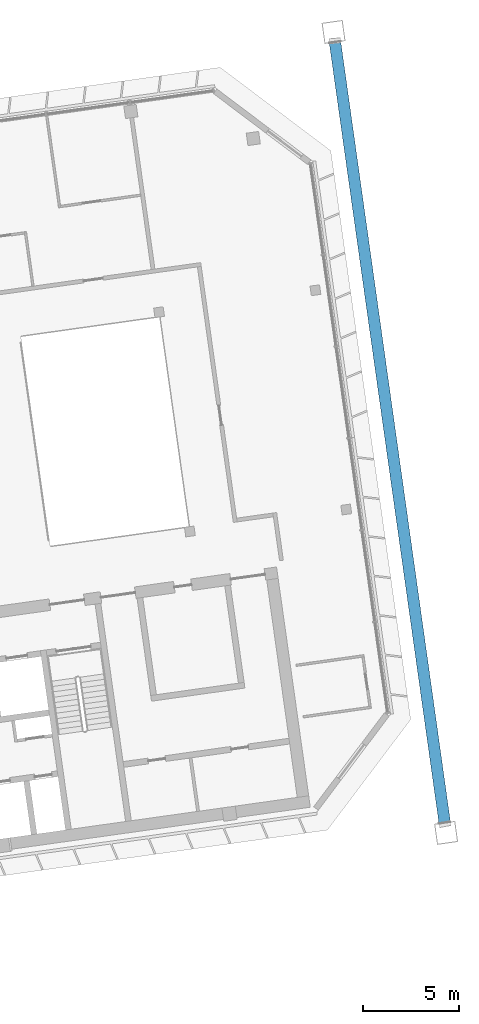
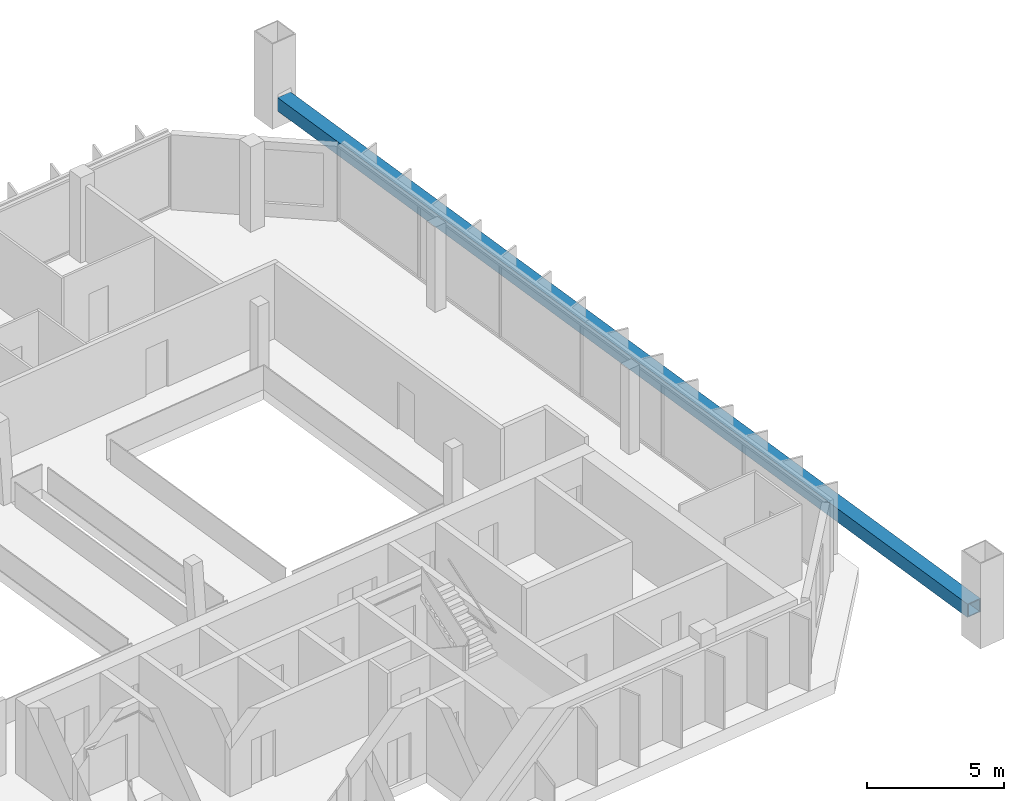
# One storey, part 13 of 26: 1 member.
"""IFC4 building model written with IfcOpenShell, lengths in metres."""

from ifc_helpers import new_model, si_unit, direction, frame, origin, origin_2d, place, context, subcontext, project, spatial, hollow_rectangle, extrude, material, material_profile, profile_set, type_object, element, save


model = new_model("IFC4")

# Units and contexts
model_context = context("Model", 3, precision=1e-05, world=origin(), true_north=direction((0.0, 1.0)))
body_context = subcontext(model_context, "Body", "Model", "MODEL_VIEW")
ifc_project = project(units=[si_unit("LENGTHUNIT", "METRE"), si_unit("AREAUNIT", "SQUARE_METRE"), si_unit("VOLUMEUNIT", "CUBIC_METRE"), si_unit("PLANEANGLEUNIT", "RADIAN"), si_unit("MASSUNIT", "GRAM", prefix="KILO")], contexts=[model_context])

# Site, building, storey
site_placement = place(None, origin())
site = spatial("IfcSite", under=ifc_project, at=site_placement, CompositionType="ELEMENT")
building_placement = place(site_placement, origin())
building = spatial("IfcBuilding", under=site, at=building_placement, Name="Mirante Cascada Hotel Towers", CompositionType="ELEMENT")
storey_placement = place(building_placement, frame((0.0, 0.0, 235.6)))
storey = spatial("IfcBuildingStorey", under=building, at=storey_placement, Name="L56", CompositionType="ELEMENT", Elevation=235.6)

# Member
ifc_material = material(Name="Steel ASTM A572 Gr 50", Category="steel")
ifc_material_profile = material_profile(ifc_material, hollow_rectangle(XDim=0.6, YDim=0.6, WallThickness=0.04, at=origin_2d()), Name="Box chord 600x600x40 ASTM A572 Gr 50")
ifc_profile_set = profile_set([ifc_material_profile], Name="Steel ASTM A572 Gr 50")
member_type = type_object("IfcMemberType", Name="Box chord 600x600x40 ASTM A572 Gr 50", PredefinedType="CHORD", material=ifc_profile_set)
member_placement = place(storey_placement, frame((70.4791, -16.9822, 1.0), z_axis=(-0.1391743, 0.9902679, 0.0), x_axis=(-0.9902679, -0.1391743, 0.0)))
element("IfcMember", 1, at=member_placement, inside=storey, type_object=member_type, Name="exochord T2 L56 1", PredefinedType="CHORD", context=body_context, shape_type="SweptSolid", body=[
    extrude(hollow_rectangle(XDim=0.6, YDim=0.6, WallThickness=0.04, at=origin_2d()), origin(), (0.0, 0.0, 1.0), 40.94),
])

save(model, "model.ifc")
